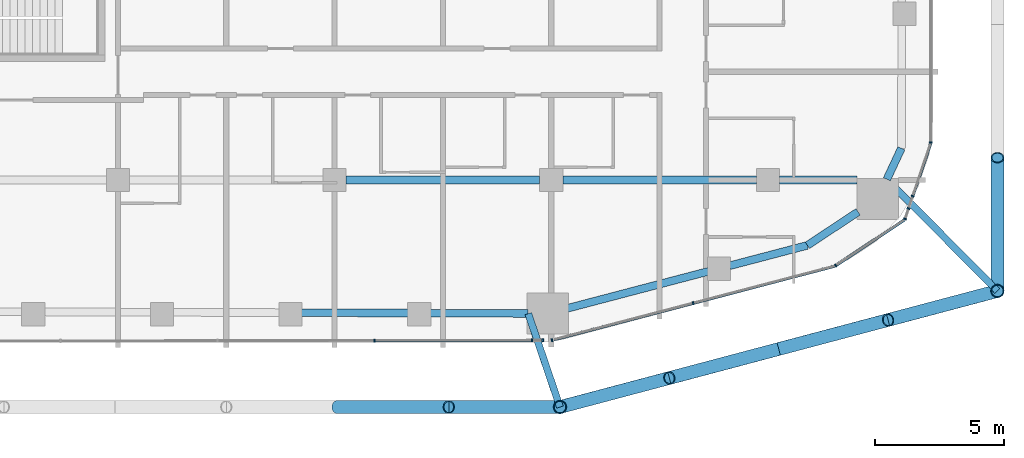
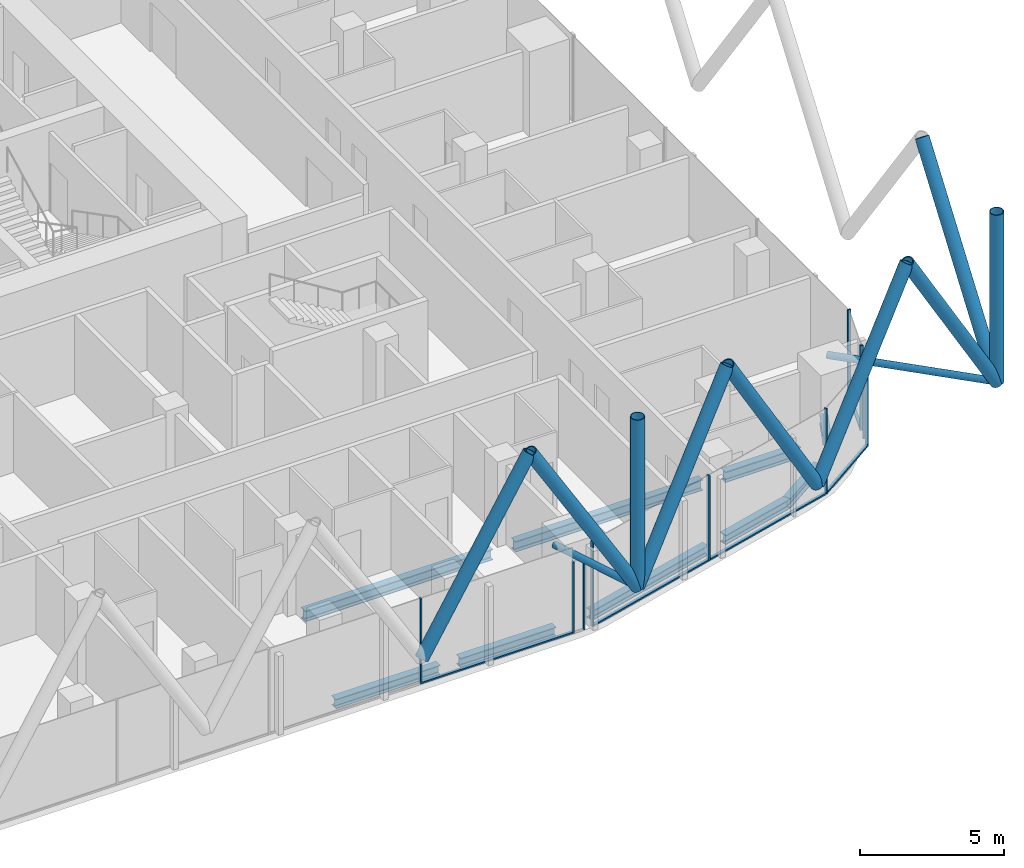
# One storey, part 6 of 33: 26 members, 9 beams, 8 elements without a shape of their own.
"""IFC4 building model written with IfcOpenShell, lengths in metres."""

import ifcopenshell
import ifcopenshell.guid

model = None  # the IFC model being written
_history = None  # IfcOwnerHistory: only IFC2X3 demands one
_inside = {}  # id of a spatial element -> (the spatial element, [elements in it])
_under = {}  # id of a project, library or spatial element -> (it, [spatial elements below it])
_declared = {}  # id of a project -> (the project, [libraries it declares])
_typed = {}  # id of a type object -> (the type object, [elements of that type])
_made_of = {}  # id of a material, layer set ... -> (it, [elements and type objects made of it])


def new_model(schema):
    """Start an empty IFC model of exactly this schema.

    Asked for "IFC4X3", IfcOpenShell would pick the latest addendum, in which some entities
    have other attributes; the version numbers below select the first issue.
    IFC2X3 requires an IfcOwnerHistory on every rooted entity: one is made here for all.
    """
    global model, _history
    if schema == "IFC4X3":
        model = ifcopenshell.file(schema_version=(4, 3, 0, 0))
    else:
        model = ifcopenshell.file(schema=schema)
    _inside.clear()
    _under.clear()
    _declared.clear()
    _typed.clear()
    _made_of.clear()
    _history = None
    if model.schema == "IFC2X3":
        org = make("IfcOrganization", Name="unknown")
        user = make(
            "IfcPersonAndOrganization",
            ThePerson=make("IfcPerson", FamilyName="unknown"),
            TheOrganization=org,
        )
        app = make(
            "IfcApplication",
            ApplicationDeveloper=org,
            Version="unknown",
            ApplicationFullName="unknown",
            ApplicationIdentifier="unknown",
        )
        _history = make(
            "IfcOwnerHistory",
            OwningUser=user,
            OwningApplication=app,
            ChangeAction="ADDED",
            CreationDate=0,
        )
    return model


def make(cls, **values):
    """One entity of the class cls with the attributes given. An attribute that is None is left unset."""
    return model.create_entity(
        cls, **{name: value for name, value in values.items() if value is not None}
    )


def rooted(cls, **values):
    """An entity with a GlobalId (a new one), such as an element, a storey or a relation."""
    return make(cls, GlobalId=ifcopenshell.guid.new(), OwnerHistory=_history, **values)


def si_unit(unit_type, name, prefix=None):
    """IfcSIUnit, for example si_unit("LENGTHUNIT", "METRE", prefix="MILLI")."""
    return make("IfcSIUnit", UnitType=unit_type, Prefix=prefix, Name=name)


def assignment(units):
    """IfcUnitAssignment: the units of a project."""
    return None if units is None else make("IfcUnitAssignment", Units=units)


def point(xyz):
    """IfcCartesianPoint."""
    return None if xyz is None else make("IfcCartesianPoint", Coordinates=xyz)


def direction(xyz):
    """IfcDirection."""
    return None if xyz is None else make("IfcDirection", DirectionRatios=xyz)


def frame(location, z_axis=None, x_axis=None):
    """IfcAxis2Placement3D, a coordinate frame: its origin and axes. An axis left out is left unset."""
    return make(
        "IfcAxis2Placement3D",
        Location=point(location),
        Axis=direction(z_axis),
        RefDirection=direction(x_axis),
    )


def frame_2d(location, x_axis=None):
    """IfcAxis2Placement2D, a coordinate frame in the plane: its origin and x axis."""
    return make(
        "IfcAxis2Placement2D", Location=point(location), RefDirection=direction(x_axis)
    )


def origin():
    """The frame at (0, 0, 0) with its axes left unset."""
    return frame((0.0, 0.0, 0.0))


def origin_2d():
    """The frame at (0, 0) in the plane with its x axis left unset."""
    return frame_2d((0.0, 0.0))


def place(relative_to, where):
    """IfcLocalPlacement: puts the frame where relative to a parent placement (None: the world)."""
    return make(
        "IfcLocalPlacement", PlacementRelTo=relative_to, RelativePlacement=where
    )


def context(
    kind, dimensions, precision=None, world=None, true_north=None, identifier=None
):
    """IfcGeometricRepresentationContext, for example the 3D "Model" context."""
    return make(
        "IfcGeometricRepresentationContext",
        ContextIdentifier=identifier,
        ContextType=kind,
        CoordinateSpaceDimension=dimensions,
        Precision=precision,
        WorldCoordinateSystem=world,
        TrueNorth=true_north,
    )


def subcontext(parent, identifier, kind, view, scale=None):
    """IfcGeometricRepresentationSubContext, for example "Body" below "Model"."""
    return make(
        "IfcGeometricRepresentationSubContext",
        ContextIdentifier=identifier,
        ContextType=kind,
        ParentContext=parent,
        TargetScale=scale,
        TargetView=view,
    )


def project(units=None, contexts=None):
    """IfcProject with its units and contexts."""
    return rooted(
        "IfcProject",
        Name="project",
        RepresentationContexts=contexts,
        UnitsInContext=assignment(units),
    )


def spatial(cls, under=None, at=None, **own):
    """A site, building, storey or space (cls), placed at a placement, below another one or the project."""
    s = rooted(cls, ObjectPlacement=at, **own)
    if under is not None:
        _under.setdefault(under.id(), (under, []))[1].append(s)
    return s


def profile(cls, at=None, kind="AREA", **sizes):
    """A parametric profile (cls). Its sizes go by their IFC names, for example OverallWidth=200.0."""
    return make(cls, ProfileType=kind, Position=at, **sizes)


def rectangle(**sizes):
    """IfcRectangleProfileDef."""
    return profile("IfcRectangleProfileDef", **sizes)


def hollow_circle(**sizes):
    """IfcCircleHollowProfileDef."""
    return profile("IfcCircleHollowProfileDef", **sizes)


def i_section(**sizes):
    """IfcIShapeProfileDef."""
    return profile("IfcIShapeProfileDef", **sizes)


def extrude(swept, where, along, depth):
    """IfcExtrudedAreaSolid: the profile swept, set in the frame where, extruded along a direction by depth."""
    return make(
        "IfcExtrudedAreaSolid",
        SweptArea=swept,
        Position=where,
        ExtrudedDirection=direction(along),
        Depth=depth,
    )


def shape(context_of_items, identifier, shape_type, items):
    """IfcShapeRepresentation: the items that make up one representation, for example the "Body"."""
    return make(
        "IfcShapeRepresentation",
        ContextOfItems=context_of_items,
        RepresentationIdentifier=identifier,
        RepresentationType=shape_type,
        Items=items,
    )


def material(Name=None, Category=None):
    """IfcMaterial."""
    return make("IfcMaterial", Name=Name, Category=Category)


def layer(
    of_material, thickness, ventilated=None, Name=None, Category=None, Priority=None
):
    """IfcMaterialLayer: one layer of a wall or slab, of a material (None: an air gap)."""
    return make(
        "IfcMaterialLayer",
        Material=of_material,
        LayerThickness=thickness,
        IsVentilated=ventilated,
        Name=Name,
        Category=Category,
        Priority=Priority,
    )


def layer_set(layers, Name=None):
    """IfcMaterialLayerSet."""
    return make("IfcMaterialLayerSet", MaterialLayers=layers, LayerSetName=Name)


def material_profile(
    of_material, cross_section, Name=None, Category=None, Priority=None
):
    """IfcMaterialProfile: a cross section and its material."""
    return make(
        "IfcMaterialProfile",
        Name=Name,
        Material=of_material,
        Profile=cross_section,
        Priority=Priority,
        Category=Category,
    )


def profile_set(profiles, Name=None, composite=None):
    """IfcMaterialProfileSet."""
    return make(
        "IfcMaterialProfileSet",
        Name=Name,
        MaterialProfiles=profiles,
        CompositeProfile=composite,
    )


def made_of(thing, what):
    """Note that an element or type object is made of a material, layer set ...; save() writes the relation."""
    if what is not None:
        _made_of.setdefault(what.id(), (what, []))[1].append(thing)
    return thing


def type_object(cls, material=None, **own):
    """A type object (cls), such as IfcWallType, which elements share."""
    return made_of(rooted(cls, **own), material)


def element(
    cls,
    number,
    at=None,
    inside=None,
    cuts=None,
    type_object=None,
    material=None,
    context=None,
    identifier="Body",
    shape_type=None,
    held_by="IfcProductDefinitionShape",
    body=None,
    shapes=None,
    **own,
):
    """One element of the class cls, such as IfcWall. Its Tag is "e" and its number.

    at: its placement. inside: the storey or other place that contains it. cuts: it is an
    opening in that element (IfcRelVoidsElement). A single representation is given by context,
    identifier, shape_type and body (its items); several are given by shapes. held_by: the class
    of the entity that holds the representations. save() writes the other relations.
    """
    e = rooted(cls, Tag="e%d" % number, ObjectPlacement=at, **own)
    if body is not None:
        shapes = [shape(context, identifier, shape_type, body)]
    if shapes is not None:
        e.Representation = make(held_by, Representations=shapes)
    if inside is not None:
        _inside.setdefault(inside.id(), (inside, []))[1].append(e)
    if cuts is not None:
        rooted(
            "IfcRelVoidsElement", RelatingBuildingElement=cuts, RelatedOpeningElement=e
        )
    if type_object is not None:
        _typed.setdefault(type_object.id(), (type_object, []))[1].append(e)
    return made_of(e, material)


def aggregate(whole, parts):
    """IfcRelAggregates: a whole, such as a stair, and the parts it consists of."""
    return rooted("IfcRelAggregates", RelatingObject=whole, RelatedObjects=parts)


def save(model, path):
    """Write the relations noted so far, then the file.

    IfcRelAggregates (storeys below a building ...), IfcRelContainedInSpatialStructure (elements
    in a storey), IfcRelDefinesByType, IfcRelAssociatesMaterial and IfcRelDeclares: one each for
    every whole, place, type object, material and project.
    """
    for whole, parts in _under.values():
        aggregate(whole, parts)
    for where, things in _inside.values():
        rooted(
            "IfcRelContainedInSpatialStructure",
            RelatedElements=things,
            RelatingStructure=where,
        )
    for kind, things in _typed.values():
        rooted("IfcRelDefinesByType", RelatedObjects=things, RelatingType=kind)
    for what, things in _made_of.values():
        rooted("IfcRelAssociatesMaterial", RelatedObjects=things, RelatingMaterial=what)
    for by, libraries in _declared.values():
        rooted("IfcRelDeclares", RelatingContext=by, RelatedDefinitions=libraries)
    model.write(path)


model = new_model("IFC4")

# Units and contexts
model_context = context("Model", 3, precision=1e-05, world=origin(), true_north=direction((0.0, 1.0)))
body_context = subcontext(model_context, "Body", "Model", "MODEL_VIEW")
ifc_project = project(units=[si_unit("LENGTHUNIT", "METRE"), si_unit("AREAUNIT", "SQUARE_METRE"), si_unit("VOLUMEUNIT", "CUBIC_METRE"), si_unit("PLANEANGLEUNIT", "RADIAN"), si_unit("MASSUNIT", "GRAM", prefix="KILO")], contexts=[model_context])

# Site, building, storey
site_placement = place(None, origin())
site = spatial("IfcSite", under=ifc_project, at=site_placement, CompositionType="ELEMENT")
building_placement = place(site_placement, origin())
building = spatial("IfcBuilding", under=site, at=building_placement, Name="Marenta Gate Hotel Tower", CompositionType="ELEMENT")
storey_placement = place(building_placement, frame((0.0, 0.0, 137.300048828125)))
storey = spatial("IfcBuildingStorey", under=building, at=storey_placement, Name="L31", CompositionType="ELEMENT", Elevation=137.300048828125)

# Members
ifc_material_1 = material(Name="Steel S355J2W", Category="steel")
ifc_material_profile_1 = material_profile(ifc_material_1, hollow_circle(Radius=0.25390625, WallThickness=0.02490234375, at=origin_2d()), Name="CHS 508x25")
ifc_profile_set_1 = profile_set([ifc_material_profile_1], Name="Steel S355J2W")
member_type_1 = type_object("IfcMemberType", Name="Diagrid corner post Z2 CHS 508x25", PredefinedType="POST", material=ifc_profile_set_1)
for number, where, z_axis, x_axis, name in (
    (1, (29.89990234375, -21.10009765625, 3.139892578125), (0.0, 0.0, 1.0), (1.0, 0.0, 0.0), "L31-DR-2"),
    (2, (12.93896484375, -25.60009765625, 3.139892578125), (0.0, 0.0, 1.0), (1.0, 0.0, 0.0), "L31-DR-3"),
):
    element("IfcMember", number, at=place(storey_placement, frame(where, z_axis=z_axis, x_axis=x_axis)), inside=storey, type_object=member_type_1, Name=name, PredefinedType="POST", context=body_context, shape_type="SweptSolid", body=[
        extrude(hollow_circle(Radius=0.25390625, WallThickness=0.02490234375, at=origin_2d()), origin(), (0.0, 0.0, 1.0), 7.199951171875),
    ])
ifc_material_2 = material(Name="Steel S355J2W", Category="steel")
ifc_material_profile_2 = material_profile(ifc_material_2, hollow_circle(Radius=0.25390625, WallThickness=0.0400390625, at=origin_2d()), Name="CHS 508x40")
ifc_profile_set_2 = profile_set([ifc_material_profile_2], Name="Steel S355J2W")
member_type_2 = type_object("IfcMemberType", Name="Diagrid diagonal Z2 CHS 508x40", PredefinedType="BRACE", material=ifc_profile_set_2)
member_1_placement = place(storey_placement, frame((29.89990234375, -21.10009765625, 3.139892578125), z_axis=(0.0, 0.583260841117, 0.812284919975), x_axis=(-1.0, 0.0, 0.0)))
element("IfcMember", 3, at=member_1_placement, inside=storey, type_object=member_type_2, Name="L31-DG-10", PredefinedType="BRACE", context=body_context, shape_type="SweptSolid", body=[
    extrude(hollow_circle(Radius=0.25390625, WallThickness=0.0400390625, at=origin_2d()), origin(), (0.0, 0.0, 1.0), 8.86376953125),
])
member_2_placement = place(storey_placement, frame((29.89990234375, -21.10009765625, 3.139892578125), z_axis=(-0.502902385412, -0.133435492139, 0.853981358218), x_axis=(0.256456982503, -0.966555645644, 0.0)))
element("IfcMember", 4, at=member_2_placement, inside=storey, type_object=member_type_2, Name="L31-DG-11", PredefinedType="BRACE", context=body_context, shape_type="SweptSolid", body=[
    extrude(hollow_circle(Radius=0.25390625, WallThickness=0.0400390625, at=origin_2d()), origin(), (0.0, 0.0, 1.0), 8.43115234375),
])
member_3_placement = place(storey_placement, frame((21.41943359375, -23.35009765625, 3.139892578125), z_axis=(0.502945650976, 0.133431605717, 0.853956485285), x_axis=(-0.256429393985, 0.966562965306, 0.0)))
element("IfcMember", 5, at=member_3_placement, inside=storey, type_object=member_type_2, Name="L31-DG-12", PredefinedType="BRACE", context=body_context, shape_type="SweptSolid", body=[
    extrude(hollow_circle(Radius=0.25390625, WallThickness=0.0400390625, at=origin_2d()), origin(), (0.0, 0.0, 1.0), 8.431396484375),
])
for number, where, z_axis, x_axis, name in (
    (6, (21.41943359375, -23.35009765625, 3.139892578125), (-0.502924018666, -0.133433548941, 0.853968921838), (0.256443187528, -0.96655930577, 0.0), "L31-DG-13"),
    (7, (12.93896484375, -25.60009765625, 3.139892578125), (0.502924018666, 0.133433548941, 0.853968921838), (-0.256443187528, 0.96655930577, 0.0), "L31-DG-14"),
):
    element("IfcMember", number, at=place(storey_placement, frame(where, z_axis=z_axis, x_axis=x_axis)), inside=storey, type_object=member_type_2, Name=name, PredefinedType="BRACE", context=body_context, shape_type="SweptSolid", body=[
        extrude(hollow_circle(Radius=0.25390625, WallThickness=0.0400390625, at=origin_2d()), origin(), (0.0, 0.0, 1.0), 8.43115234375),
    ])
for number, where, z_axis, x_axis, name in (
    (8, (12.93896484375, -25.60009765625, 3.139892578125), (-0.513883902774, 0.0, 0.857859740558), (0.0, -1.0, 0.0), "L31-DG-15"),
    (9, (4.31298828125, -25.60009765625, 3.139892578125), (0.513883902774, 0.0, 0.857859740558), (0.0, 1.0, 0.0), "L31-DG-16"),
):
    element("IfcMember", number, at=place(storey_placement, frame(where, z_axis=z_axis, x_axis=x_axis)), inside=storey, type_object=member_type_2, Name=name, PredefinedType="BRACE", context=body_context, shape_type="SweptSolid", body=[
        extrude(hollow_circle(Radius=0.25390625, WallThickness=0.0400390625, at=origin_2d()), origin(), (0.0, 0.0, 1.0), 8.392822265625),
    ])

# Beams
ifc_material_3 = material(Name="Steel S355", Category="steel")
ifc_material_profile_3 = material_profile(ifc_material_3, i_section(OverallWidth=0.300048828125, OverallDepth=0.39990234375, WebThickness=0.013427734375, FlangeThickness=0.02392578125, FilletRadius=0.027099609375, at=origin_2d()), Name="HEB 400")
ifc_profile_set_3 = profile_set([ifc_material_profile_3], Name="Steel S355")
beam_type_1 = type_object("IfcBeamType", Name="Edge beam HEB 400", PredefinedType="SPANDREL", material=ifc_profile_set_3)
beam_1_placement = place(storey_placement, frame((26.175048828125, -15.567138671875, -0.4599609375), z_axis=(-0.423207780269, -0.906032656541, 0.0), x_axis=(0.906032656541, -0.423207780269, 0.0)))
element("IfcBeam", 10, at=beam_1_placement, inside=storey, type_object=beam_type_1, Name="L31-EB-28", PredefinedType="SPANDREL", context=body_context, shape_type="SweptSolid", body=[
    extrude(i_section(OverallWidth=0.300048828125, OverallDepth=0.39990234375, WebThickness=0.013427734375, FlangeThickness=0.02392578125, FilletRadius=0.027099609375, at=origin_2d()), origin(), (0.0, 0.0, 1.0), 1.326904296875),
])
beam_2_placement = place(storey_placement, frame((24.496337890625, -18.0322265625, -0.4599609375), z_axis=(-0.834496060599, -0.551013906217, 0.0), x_axis=(0.551013906217, -0.834496060599, 0.0)))
element("IfcBeam", 11, at=beam_2_placement, inside=storey, type_object=beam_type_1, Name="L31-EB-29", PredefinedType="SPANDREL", context=body_context, shape_type="SweptSolid", body=[
    extrude(i_section(OverallWidth=0.300048828125, OverallDepth=0.39990234375, WebThickness=0.013427734375, FlangeThickness=0.02392578125, FilletRadius=0.027099609375, at=origin_2d()), origin(), (0.0, 0.0, 1.0), 2.357177734375),
])
beam_3_placement = place(storey_placement, frame((22.529296875, -19.3310546875, -0.4599609375), z_axis=(-0.967224706208, -0.25392197168, 0.0), x_axis=(0.25392197168, -0.967224706208, 0.0)))
element("IfcBeam", 12, at=beam_3_placement, inside=storey, type_object=beam_type_1, Name="L31-EB-30", PredefinedType="SPANDREL", context=body_context, shape_type="SweptSolid", body=[
    extrude(i_section(OverallWidth=0.300048828125, OverallDepth=0.39990234375, WebThickness=0.013427734375, FlangeThickness=0.02392578125, FilletRadius=0.027099609375, at=origin_2d()), origin(), (0.0, 0.0, 1.0), 3.11328125),
])
beam_4_placement = place(storey_placement, frame((18.695556640625, -20.33740234375, -0.4599609375), z_axis=(-0.96723321901, -0.253889542999, 0.0), x_axis=(0.253889542999, -0.96723321901, 0.0)))
element("IfcBeam", 13, at=beam_4_placement, inside=storey, type_object=beam_type_1, Name="L31-EB-31", PredefinedType="SPANDREL", context=body_context, shape_type="SweptSolid", body=[
    extrude(i_section(OverallWidth=0.300048828125, OverallDepth=0.39990234375, WebThickness=0.013427734375, FlangeThickness=0.02392578125, FilletRadius=0.027099609375, at=origin_2d()), origin(), (0.0, 0.0, 1.0), 5.6533203125),
])
beam_5_placement = place(storey_placement, frame((11.706298828125, -21.97021484375, -0.4599609375), z_axis=(-0.999994883969, 0.003198755307, 0.0), x_axis=(-0.003198755307, -0.999994883969, 0.0)))
element("IfcBeam", 14, at=beam_5_placement, inside=storey, type_object=beam_type_1, Name="L31-EB-32", PredefinedType="SPANDREL", context=body_context, shape_type="SweptSolid", body=[
    extrude(i_section(OverallWidth=0.300048828125, OverallDepth=0.39990234375, WebThickness=0.013427734375, FlangeThickness=0.02392578125, FilletRadius=0.027099609375, at=origin_2d()), origin(), (0.0, 0.0, 1.0), 3.816162109375),
])
beam_6_placement = place(storey_placement, frame((7.070068359375, -21.955322265625, -0.4599609375), z_axis=(-0.999994807487, 0.003222576575, 0.0), x_axis=(-0.003222576575, -0.999994807487, 0.0)))
element("IfcBeam", 15, at=beam_6_placement, inside=storey, type_object=beam_type_1, Name="L31-EB-33", PredefinedType="SPANDREL", context=body_context, shape_type="SweptSolid", body=[
    extrude(i_section(OverallWidth=0.300048828125, OverallDepth=0.39990234375, WebThickness=0.013427734375, FlangeThickness=0.02392578125, FilletRadius=0.027099609375, at=origin_2d()), origin(), (0.0, 0.0, 1.0), 4.166748046875),
])

# Members
ifc_material_4 = material(Name="Steel S355J2W", Category="steel")
ifc_material_profile_4 = material_profile(ifc_material_4, hollow_circle(Radius=0.136474609375, WallThickness=0.012451171875, at=origin_2d()), Name="CHS 273x12.5")
ifc_profile_set_4 = profile_set([ifc_material_profile_4], Name="Steel S355J2W")
member_type_3 = type_object("IfcMemberType", Name="Floor tie CHS 273x12.5", PredefinedType="STRUT", material=ifc_profile_set_4)
member_4_placement = place(storey_placement, frame((29.89990234375, -21.10009765625, 3.139892578125), z_axis=(-0.703467207322, 0.710727717359, 0.0), x_axis=(-0.710727717359, -0.703467207322, 0.0)))
element("IfcMember", 16, at=member_4_placement, inside=storey, type_object=member_type_3, Name="L31-DR-8", PredefinedType="STRUT", context=body_context, shape_type="SweptSolid", body=[
    extrude(hollow_circle(Radius=0.136474609375, WallThickness=0.012451171875, at=origin_2d()), origin(), (0.0, 0.0, 1.0), 6.086181640625),
])
member_5_placement = place(storey_placement, frame((12.93896484375, -25.60009765625, 3.139892578125), z_axis=(-0.321582426358, 0.94688158872, 0.0), x_axis=(-0.94688158872, -0.321582426358, 0.0)))
element("IfcMember", 17, at=member_5_placement, inside=storey, type_object=member_type_3, Name="L31-DR-9", PredefinedType="STRUT", context=body_context, shape_type="SweptSolid", body=[
    extrude(hollow_circle(Radius=0.136474609375, WallThickness=0.012451171875, at=origin_2d()), origin(), (0.0, 0.0, 1.0), 3.826171875),
])

# Beams
ifc_material_5 = material(Name="Steel S355", Category="steel")
ifc_material_profile_5 = material_profile(ifc_material_5, i_section(OverallWidth=0.300048828125, OverallDepth=0.449951171875, WebThickness=0.013916015625, FlangeThickness=0.02587890625, FilletRadius=0.027099609375, at=origin_2d()), Name="HEB 450")
ifc_profile_set_5 = profile_set([ifc_material_profile_5], Name="Steel S355")
beam_type_2 = type_object("IfcBeamType", Name="Girder HEB 450", PredefinedType="BEAM", material=ifc_profile_set_5)
for number, where, z_axis, x_axis, name in (
    (18, (4.64990234375, -16.800048828125, -0.485107421875), (1.0, 0.0, 0.0), (0.0, 1.0, 0.0), "L31-GD-5"),
    (19, (13.050048828125, -16.800048828125, -0.485107421875), (1.0, 0.0, 0.0), (0.0, 1.0, 0.0), "L31-GD-6"),
):
    element("IfcBeam", number, at=place(storey_placement, frame(where, z_axis=z_axis, x_axis=x_axis)), inside=storey, type_object=beam_type_2, Name=name, PredefinedType="BEAM", context=body_context, shape_type="SweptSolid", body=[
        extrude(i_section(OverallWidth=0.300048828125, OverallDepth=0.449951171875, WebThickness=0.013916015625, FlangeThickness=0.02587890625, FilletRadius=0.027099609375, at=origin_2d()), origin(), (0.0, 0.0, 1.0), 7.5),
    ])
beam_7_placement = place(storey_placement, frame((21.449951171875, -16.800048828125, -0.485107421875), z_axis=(1.0, 0.0, 0.0), x_axis=(0.0, 1.0, 0.0)))
element("IfcBeam", 20, at=beam_7_placement, inside=storey, type_object=beam_type_2, Name="L31-GD-7", PredefinedType="BEAM", context=body_context, shape_type="SweptSolid", body=[
    extrude(i_section(OverallWidth=0.300048828125, OverallDepth=0.449951171875, WebThickness=0.013916015625, FlangeThickness=0.02587890625, FilletRadius=0.027099609375, at=origin_2d()), origin(), (0.0, 0.0, 1.0), 3.012939453125),
])

# Curtain wall, member
ifc_material_6 = material(Name="Tinted insulated glass in bronze anodised frame", Category="glass")
ifc_layer = layer(ifc_material_6, 0.1201171875)
ifc_layer_set = layer_set([ifc_layer], Name="Tinted insulated glass in bronze anodised frame")
curtain_wall_type = type_object("IfcCurtainWallType", Name="Tower unitised curtain wall CW1", PredefinedType="NOTDEFINED", material=ifc_layer_set)
curtain_wall_1_placement = place(storey_placement, origin())
curtain_wall_1 = element("IfcCurtainWall", 21, at=curtain_wall_1_placement, inside=storey, type_object=curtain_wall_type, Name="CW1 run G12", PredefinedType="NOTDEFINED")
ifc_material_7 = material(Name="Bronze anodised aluminium", Category="aluminium")
ifc_material_profile_6 = material_profile(ifc_material_7, rectangle(XDim=0.1201171875, YDim=0.06005859375, at=origin_2d()), Name="Mullion CW1 60x120 bronze anodised aluminium")
ifc_profile_set_6 = profile_set([ifc_material_profile_6], Name="Bronze anodised aluminium")
member_type_4 = type_object("IfcMemberType", Name="Mullion CW1 60x120 bronze anodised aluminium", PredefinedType="MULLION", material=ifc_profile_set_6)
member_6_placement = place(storey_placement, frame((5.73974609375, -23.022705078125, 0.0), z_axis=(0.0, 0.0, 1.0), x_axis=(-0.00136470383, 0.999999068791, 0.0)))
member_6 = element("IfcMember", 22, at=member_6_placement, type_object=member_type_4, Name="CW1 mullion 4", PredefinedType="MULLION", context=body_context, shape_type="SweptSolid", body=[
    extrude(rectangle(XDim=0.1201171875, YDim=0.06005859375, at=origin_2d()), origin(), (0.0, 0.0, 1.0), 3.599853515625),
])

# Curtain wall, members
curtain_wall_2_placement = place(storey_placement, origin())
curtain_wall_2 = element("IfcCurtainWall", 23, at=curtain_wall_2_placement, inside=storey, type_object=curtain_wall_type, Name="CW1 run G13", PredefinedType="NOTDEFINED")
member_7_placement = place(storey_placement, frame((11.851806640625, -23.01416015625, 0.0), z_axis=(0.0, 0.0, 1.0), x_axis=(-0.001254704164, 0.999999212858, 0.0)))
member_7 = element("IfcMember", 24, at=member_7_placement, type_object=member_type_4, Name="CW1 mullion 1", PredefinedType="MULLION", context=body_context, shape_type="SweptSolid", body=[
    extrude(rectangle(XDim=0.1201171875, YDim=0.06005859375, at=origin_2d()), origin(), (0.0, 0.0, 1.0), 3.00048828125),
])
member_8_placement = place(storey_placement, frame((12.27001953125, -23.013671875, 0.0), z_axis=(0.0, 0.0, 1.0), x_axis=(-0.001254704164, 0.999999212858, 0.0)))
member_8 = element("IfcMember", 25, at=member_8_placement, type_object=member_type_4, Name="CW1 mullion 2", PredefinedType="MULLION", context=body_context, shape_type="SweptSolid", body=[
    extrude(rectangle(XDim=0.1201171875, YDim=0.06005859375, at=origin_2d()), origin(), (0.0, 0.0, 1.0), 3.00048828125),
])
aggregate(curtain_wall_2, [member_7, member_8])

curtain_wall_3_placement = place(storey_placement, origin())
curtain_wall_3 = element("IfcCurtainWall", 26, at=curtain_wall_3_placement, inside=storey, type_object=curtain_wall_type, Name="CW1 run G14", PredefinedType="NOTDEFINED")
member_9_placement = place(storey_placement, frame((12.626708984375, -23.005615234375, 0.0), z_axis=(0.0, 0.0, 1.0), x_axis=(-0.253374270473, 0.967368326473, 0.0)))
member_9 = element("IfcMember", 27, at=member_9_placement, type_object=member_type_4, Name="CW1 mullion 1", PredefinedType="MULLION", context=body_context, shape_type="SweptSolid", body=[
    extrude(rectangle(XDim=0.1201171875, YDim=0.06005859375, at=origin_2d()), origin(), (0.0, 0.0, 1.0), 3.599853515625),
])
member_10_placement = place(storey_placement, frame((18.102783203125, -21.571533203125, 0.0), z_axis=(0.0, 0.0, 1.0), x_axis=(-0.253374270473, 0.967368326473, 0.0)))
member_10 = element("IfcMember", 28, at=member_10_placement, type_object=member_type_4, Name="CW1 mullion 2", PredefinedType="MULLION", context=body_context, shape_type="SweptSolid", body=[
    extrude(rectangle(XDim=0.1201171875, YDim=0.06005859375, at=origin_2d()), origin(), (0.0, 0.0, 1.0), 3.599853515625),
])

# Curtain wall, member
curtain_wall_4_placement = place(storey_placement, origin())
curtain_wall_4 = element("IfcCurtainWall", 29, at=curtain_wall_4_placement, inside=storey, type_object=curtain_wall_type, Name="CW1 run G15", PredefinedType="NOTDEFINED")
member_11_placement = place(storey_placement, frame((23.632568359375, -20.113037109375, 0.0), z_axis=(0.0, 0.0, 1.0), x_axis=(-0.554016243423, 0.832505857051, 0.0)))
member_11 = element("IfcMember", 30, at=member_11_placement, type_object=member_type_4, Name="CW1 mullion 1", PredefinedType="MULLION", context=body_context, shape_type="SweptSolid", body=[
    extrude(rectangle(XDim=0.1201171875, YDim=0.06005859375, at=origin_2d()), origin(), (0.0, 0.0, 1.0), 3.599853515625),
])

curtain_wall_5_placement = place(storey_placement, origin())
curtain_wall_5 = element("IfcCurtainWall", 31, at=curtain_wall_5_placement, inside=storey, type_object=curtain_wall_type, Name="CW1 run G16", PredefinedType="NOTDEFINED")
member_12_placement = place(storey_placement, frame((26.314453125, -18.30615234375, 0.0), z_axis=(0.0, 0.0, 1.0), x_axis=(-0.946727185016, 0.322036701561, 0.0)))
member_12 = element("IfcMember", 32, at=member_12_placement, type_object=member_type_4, Name="CW1 mullion 1", PredefinedType="MULLION", context=body_context, shape_type="SweptSolid", body=[
    extrude(rectangle(XDim=0.1201171875, YDim=0.06005859375, at=origin_2d()), origin(), (0.0, 0.0, 1.0), 3.599853515625),
])
aggregate(curtain_wall_5, [member_12])

curtain_wall_6_placement = place(storey_placement, origin())
curtain_wall_6 = element("IfcCurtainWall", 33, at=curtain_wall_6_placement, inside=storey, type_object=curtain_wall_type, Name="CW1 run G17", PredefinedType="NOTDEFINED")
member_13_placement = place(storey_placement, frame((26.452392578125, -17.90087890625, 0.0), z_axis=(0.0, 0.0, 1.0), x_axis=(-0.946729383953, 0.322030237029, 0.0)))
member_13 = element("IfcMember", 34, at=member_13_placement, type_object=member_type_4, Name="CW1 mullion 1", PredefinedType="MULLION", context=body_context, shape_type="SweptSolid", body=[
    extrude(rectangle(XDim=0.1201171875, YDim=0.06005859375, at=origin_2d()), origin(), (0.0, 0.0, 1.0), 3.00048828125),
])
aggregate(curtain_wall_6, [member_13])

curtain_wall_7_placement = place(storey_placement, origin())
curtain_wall_7 = element("IfcCurtainWall", 35, at=curtain_wall_7_placement, inside=storey, type_object=curtain_wall_type, Name="CW1 run G18", PredefinedType="NOTDEFINED")
member_14_placement = place(storey_placement, frame((26.615478515625, -17.421630859375, 0.0), z_axis=(0.0, 0.0, 1.0), x_axis=(-0.946728388751, 0.322033162785, 0.0)))
member_14 = element("IfcMember", 36, at=member_14_placement, type_object=member_type_4, Name="CW1 mullion 1", PredefinedType="MULLION", context=body_context, shape_type="SweptSolid", body=[
    extrude(rectangle(XDim=0.1201171875, YDim=0.06005859375, at=origin_2d()), origin(), (0.0, 0.0, 1.0), 3.599853515625),
])

curtain_wall_8_placement = place(storey_placement, origin())
curtain_wall_8 = element("IfcCurtainWall", 37, at=curtain_wall_8_placement, inside=storey, type_object=curtain_wall_type, Name="CW1 run G19", PredefinedType="NOTDEFINED")
member_15_placement = place(storey_placement, frame((27.31396484375, -15.337890625, 0.0), z_axis=(0.0, 0.0, 1.0), x_axis=(-1.0, 0.0, 0.0)))
member_15 = element("IfcMember", 38, at=member_15_placement, type_object=member_type_4, Name="CW1 mullion 1", PredefinedType="MULLION", context=body_context, shape_type="SweptSolid", body=[
    extrude(rectangle(XDim=0.1201171875, YDim=0.06005859375, at=origin_2d()), origin(), (0.0, 0.0, 1.0), 3.599853515625),
])
aggregate(curtain_wall_8, [member_15])

# Member
ifc_material_8 = material(Name="Bronze anodised aluminium", Category="aluminium")
ifc_material_profile_7 = material_profile(ifc_material_8, rectangle(XDim=0.1201171875, YDim=0.06005859375, at=origin_2d()), Name="Transom CW1 60x120 bronze anodised aluminium")
ifc_profile_set_7 = profile_set([ifc_material_profile_7], Name="Bronze anodised aluminium")
member_type_5 = type_object("IfcMemberType", Name="Transom CW1 60x120 bronze anodised aluminium", PredefinedType="USERDEFINED", material=ifc_profile_set_7)
member_16_placement = place(storey_placement, frame((5.769775390625, -23.0224609375, 0.030029296875), z_axis=(0.999999113907, 0.001331234449, 0.0), x_axis=(-0.001331234449, 0.999999113907, 0.0)))
member_16 = element("IfcMember", 39, at=member_16_placement, type_object=member_type_5, Name="CW1 transom 4.1", ObjectType="TRANSOM", PredefinedType="USERDEFINED", context=body_context, shape_type="SweptSolid", body=[
    extrude(rectangle(XDim=0.1201171875, YDim=0.06005859375, at=origin_2d()), origin(), (0.0, 0.0, 1.0), 6.052001953125),
])

aggregate(curtain_wall_1, [member_6, member_16])

member_17_placement = place(storey_placement, frame((12.65576171875, -22.998046875, 0.030029296875), z_axis=(0.967374258372, 0.25335162174, 0.0), x_axis=(-0.25335162174, 0.967374258372, 0.0)))
member_17 = element("IfcMember", 40, at=member_17_placement, type_object=member_type_5, Name="CW1 transom 1.1", ObjectType="TRANSOM", PredefinedType="USERDEFINED", context=body_context, shape_type="SweptSolid", body=[
    extrude(rectangle(XDim=0.1201171875, YDim=0.06005859375, at=origin_2d()), origin(), (0.0, 0.0, 1.0), 5.6005859375),
])

member_18_placement = place(storey_placement, frame((18.1318359375, -21.56396484375, 0.030029296875), z_axis=(0.967364420611, 0.253389182357, 0.0), x_axis=(-0.253389182357, 0.967364420611, 0.0)))
member_18 = element("IfcMember", 41, at=member_18_placement, type_object=member_type_5, Name="CW1 transom 2.1", ObjectType="TRANSOM", PredefinedType="USERDEFINED", context=body_context, shape_type="SweptSolid", body=[
    extrude(rectangle(XDim=0.1201171875, YDim=0.06005859375, at=origin_2d()), origin(), (0.0, 0.0, 1.0), 5.66064453125),
])

aggregate(curtain_wall_3, [member_9, member_10, member_17, member_18])

member_19_placement = place(storey_placement, frame((23.657470703125, -20.096435546875, 0.030029296875), z_axis=(0.832522439521, 0.553991324565, 0.0), x_axis=(-0.553991324565, 0.832522439521, 0.0)))
member_19 = element("IfcMember", 42, at=member_19_placement, type_object=member_type_5, Name="CW1 transom 1.1", ObjectType="TRANSOM", PredefinedType="USERDEFINED", context=body_context, shape_type="SweptSolid", body=[
    extrude(rectangle(XDim=0.1201171875, YDim=0.06005859375, at=origin_2d()), origin(), (0.0, 0.0, 1.0), 3.179931640625),
])

aggregate(curtain_wall_4, [member_11, member_19])

member_20_placement = place(storey_placement, frame((26.625, -17.393310546875, 0.030029296875), z_axis=(0.322041848526, 0.94672543422, 0.0), x_axis=(-0.94672543422, 0.322041848526, 0.0)))
member_20 = element("IfcMember", 43, at=member_20_placement, type_object=member_type_5, Name="CW1 transom 1.1", ObjectType="TRANSOM", PredefinedType="USERDEFINED", context=body_context, shape_type="SweptSolid", body=[
    extrude(rectangle(XDim=0.1201171875, YDim=0.06005859375, at=origin_2d()), origin(), (0.0, 0.0, 1.0), 2.139404296875),
])

aggregate(curtain_wall_7, [member_14, member_20])

save(model, "model.ifc")
